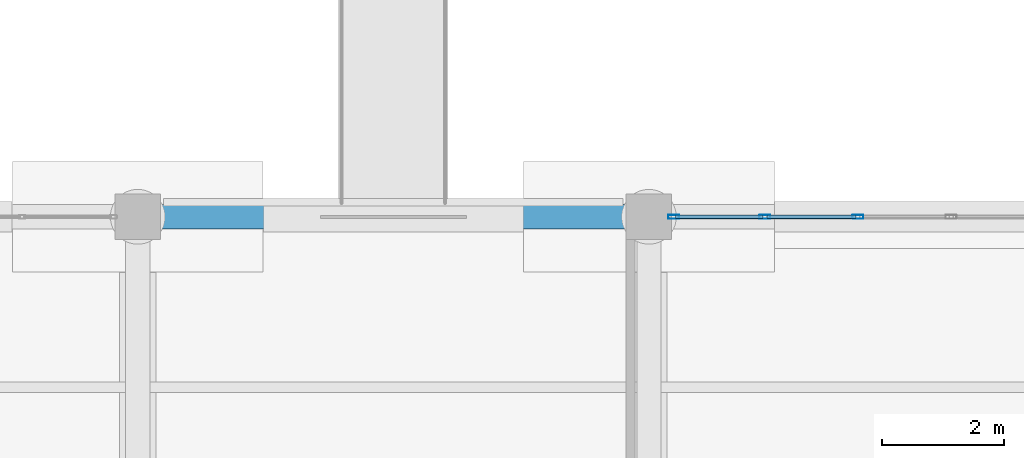
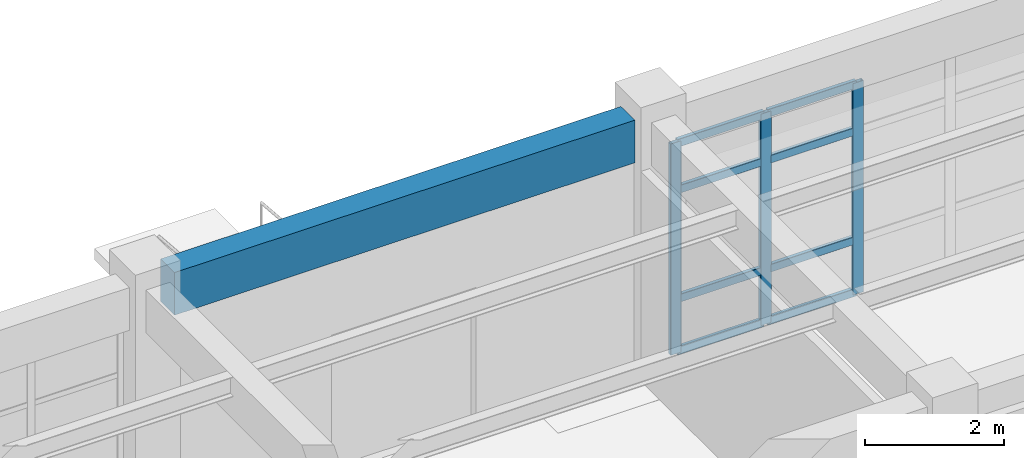
# One storey, part 5 of 29: 11 members, 1 beam, 1 element without a shape of its own.
"""IFC4 building model written with IfcOpenShell, lengths in metres."""

from ifc_helpers import new_model, si_unit, direction, frame, origin, origin_2d, place, context, subcontext, project, spatial, rectangle, hollow_rectangle, extrude, material, material_profile, profile_set, type_object, element, aggregate, save


model = new_model("IFC4")

# Units and contexts
model_context = context("Model", 3, precision=1e-05, world=origin(), true_north=direction((0.0, 1.0)))
body_context = subcontext(model_context, "Body", "Model", "MODEL_VIEW")
ifc_project = project(units=[si_unit("LENGTHUNIT", "METRE"), si_unit("AREAUNIT", "SQUARE_METRE"), si_unit("VOLUMEUNIT", "CUBIC_METRE"), si_unit("PLANEANGLEUNIT", "RADIAN"), si_unit("MASSUNIT", "GRAM", prefix="KILO")], contexts=[model_context])

# Site, building, storey
site_placement = place(None, origin())
site = spatial("IfcSite", under=ifc_project, at=site_placement, CompositionType="ELEMENT")
building_placement = place(site_placement, origin())
building = spatial("IfcBuilding", under=site, at=building_placement, Name="Canglan Escarpment Cableway Terminal", CompositionType="ELEMENT")
storey_placement = place(building_placement, origin())
storey = spatial("IfcBuildingStorey", under=building, at=storey_placement, Name="L00", CompositionType="ELEMENT", Elevation=0.0)

# Curtain wall, members
ifc_material_1 = material(Name="Anodized bronze aluminium and Low-E double glazing", Category="aluminium")
curtain_wall_type = type_object("IfcCurtainWallType", Name="CW-BAY-7650x3725", PredefinedType="NOTDEFINED", material=ifc_material_1)
curtain_wall_placement = place(storey_placement, origin())
curtain_wall = element("IfcCurtainWall", 1, at=curtain_wall_placement, inside=storey, type_object=curtain_wall_type, Name="Classical bay-between-piers glazed curtain wall CW-01", PredefinedType="NOTDEFINED")
ifc_material_2 = material(Name="Thermally broken anodized aluminium 6063-T6", Category="aluminium")
ifc_material_profile_1 = material_profile(ifc_material_2, hollow_rectangle(XDim=0.06494140625, YDim=0.179931640625, WallThickness=0.00390625, InnerFilletRadius=0.00390625, OuterFilletRadius=0.008056640625, at=origin_2d()), Name="ALU-MULL 65x180x4")
ifc_profile_set_1 = profile_set([ifc_material_profile_1], Name="Thermally broken anodized aluminium 6063-T6")
member_type_1 = type_object("IfcMemberType", Name="CWM-03", PredefinedType="MULLION", material=ifc_profile_set_1)
member_1_placement = place(storey_placement, frame((28.235107421875, 24.800048828125, 0.0), z_axis=(0.0, 0.0, 1.0), x_axis=(0.0, -1.0, 0.0)))
member_1 = element("IfcMember", 2, at=member_1_placement, type_object=member_type_1, Name="CW-01 mullion 4", PredefinedType="MULLION", context=body_context, shape_type="SweptSolid", body=[
    extrude(hollow_rectangle(XDim=0.06494140625, YDim=0.179931640625, WallThickness=0.00390625, InnerFilletRadius=0.00390625, OuterFilletRadius=0.008056640625, at=origin_2d()), origin(), (0.0, 0.0, 1.0), 3.715087890625),
])
member_2_placement = place(storey_placement, frame((26.705078125, 24.800048828125, 0.0), z_axis=(0.0, 0.0, 1.0), x_axis=(0.0, -1.0, 0.0)))
member_2 = element("IfcMember", 3, at=member_2_placement, type_object=member_type_1, Name="CW-01 mullion 5", PredefinedType="MULLION", context=body_context, shape_type="SweptSolid", body=[
    extrude(hollow_rectangle(XDim=0.06494140625, YDim=0.179931640625, WallThickness=0.00390625, InnerFilletRadius=0.00390625, OuterFilletRadius=0.008056640625, at=origin_2d()), origin(), (0.0, 0.0, 1.0), 3.715087890625),
])
member_3_placement = place(storey_placement, frame((25.20751953125, 24.800048828125, 0.0), z_axis=(0.0, 0.0, 1.0), x_axis=(0.0, -1.0, 0.0)))
member_3 = element("IfcMember", 4, at=member_3_placement, type_object=member_type_1, Name="CW-01 mullion 6", PredefinedType="MULLION", context=body_context, shape_type="SweptSolid", body=[
    extrude(hollow_rectangle(XDim=0.06494140625, YDim=0.179931640625, WallThickness=0.00390625, InnerFilletRadius=0.00390625, OuterFilletRadius=0.008056640625, at=origin_2d()), origin(), (0.0, 0.0, 1.0), 3.715087890625),
])
ifc_material_profile_2 = material_profile(ifc_material_2, hollow_rectangle(XDim=0.06494140625, YDim=0.139892578125, WallThickness=0.00341796875, InnerFilletRadius=0.00341796875, OuterFilletRadius=0.007080078125, at=origin_2d()), Name="ALU-TRAN 65x140x3.5")
ifc_profile_set_2 = profile_set([ifc_material_profile_2], Name="Thermally broken anodized aluminium 6063-T6")
member_type_2 = type_object("IfcMemberType", Name="CWT-03", PredefinedType="USERDEFINED", material=ifc_profile_set_2)
member_4_placement = place(storey_placement, frame((28.202392578125, 24.800048828125, 0.032470703125), z_axis=(-1.0, 0.0, 0.0), x_axis=(0.0, -1.0, 0.0)))
member_4 = element("IfcMember", 5, at=member_4_placement, type_object=member_type_2, Name="CW-01 transom 4.1", ObjectType="TRANSOM", PredefinedType="USERDEFINED", context=body_context, shape_type="SweptSolid", body=[
    extrude(hollow_rectangle(XDim=0.06494140625, YDim=0.139892578125, WallThickness=0.00341796875, InnerFilletRadius=0.00341796875, OuterFilletRadius=0.007080078125, at=origin_2d()), origin(), (0.0, 0.0, 1.0), 1.46484375),
])
member_5_placement = place(storey_placement, frame((28.202392578125, 24.800048828125, 0.949951171875), z_axis=(-1.0, 0.0, 0.0), x_axis=(0.0, -1.0, 0.0)))
member_5 = element("IfcMember", 6, at=member_5_placement, type_object=member_type_2, Name="CW-01 transom 4.2", ObjectType="TRANSOM", PredefinedType="USERDEFINED", context=body_context, shape_type="SweptSolid", body=[
    extrude(hollow_rectangle(XDim=0.06494140625, YDim=0.139892578125, WallThickness=0.00341796875, InnerFilletRadius=0.00341796875, OuterFilletRadius=0.007080078125, at=origin_2d()), origin(), (0.0, 0.0, 1.0), 1.46484375),
])
member_6_placement = place(storey_placement, frame((28.202392578125, 24.800048828125, 2.864990234375), z_axis=(-1.0, 0.0, 0.0), x_axis=(0.0, -1.0, 0.0)))
member_6 = element("IfcMember", 7, at=member_6_placement, type_object=member_type_2, Name="CW-01 transom 4.3", ObjectType="TRANSOM", PredefinedType="USERDEFINED", context=body_context, shape_type="SweptSolid", body=[
    extrude(hollow_rectangle(XDim=0.06494140625, YDim=0.139892578125, WallThickness=0.00341796875, InnerFilletRadius=0.00341796875, OuterFilletRadius=0.007080078125, at=origin_2d()), origin(), (0.0, 0.0, 1.0), 1.46484375),
])
member_7_placement = place(storey_placement, frame((28.202392578125, 24.800048828125, 3.6826171875), z_axis=(-1.0, 0.0, 0.0), x_axis=(0.0, -1.0, 0.0)))
member_7 = element("IfcMember", 8, at=member_7_placement, type_object=member_type_2, Name="CW-01 transom 4.4", ObjectType="TRANSOM", PredefinedType="USERDEFINED", context=body_context, shape_type="SweptSolid", body=[
    extrude(hollow_rectangle(XDim=0.06494140625, YDim=0.139892578125, WallThickness=0.00341796875, InnerFilletRadius=0.00341796875, OuterFilletRadius=0.007080078125, at=origin_2d()), origin(), (0.0, 0.0, 1.0), 1.46484375),
])
member_8_placement = place(storey_placement, frame((26.672607421875, 24.800048828125, 0.032470703125), z_axis=(-1.0, 0.0, 0.0), x_axis=(0.0, -1.0, 0.0)))
member_8 = element("IfcMember", 9, at=member_8_placement, type_object=member_type_2, Name="CW-01 transom 5.1", ObjectType="TRANSOM", PredefinedType="USERDEFINED", context=body_context, shape_type="SweptSolid", body=[
    extrude(hollow_rectangle(XDim=0.06494140625, YDim=0.139892578125, WallThickness=0.00341796875, InnerFilletRadius=0.00341796875, OuterFilletRadius=0.007080078125, at=origin_2d()), origin(), (0.0, 0.0, 1.0), 1.4326171875),
])
member_9_placement = place(storey_placement, frame((26.672607421875, 24.800048828125, 0.949951171875), z_axis=(-1.0, 0.0, 0.0), x_axis=(0.0, -1.0, 0.0)))
member_9 = element("IfcMember", 10, at=member_9_placement, type_object=member_type_2, Name="CW-01 transom 5.2", ObjectType="TRANSOM", PredefinedType="USERDEFINED", context=body_context, shape_type="SweptSolid", body=[
    extrude(hollow_rectangle(XDim=0.06494140625, YDim=0.139892578125, WallThickness=0.00341796875, InnerFilletRadius=0.00341796875, OuterFilletRadius=0.007080078125, at=origin_2d()), origin(), (0.0, 0.0, 1.0), 1.4326171875),
])
member_10_placement = place(storey_placement, frame((26.672607421875, 24.800048828125, 2.864990234375), z_axis=(-1.0, 0.0, 0.0), x_axis=(0.0, -1.0, 0.0)))
member_10 = element("IfcMember", 11, at=member_10_placement, type_object=member_type_2, Name="CW-01 transom 5.3", ObjectType="TRANSOM", PredefinedType="USERDEFINED", context=body_context, shape_type="SweptSolid", body=[
    extrude(hollow_rectangle(XDim=0.06494140625, YDim=0.139892578125, WallThickness=0.00341796875, InnerFilletRadius=0.00341796875, OuterFilletRadius=0.007080078125, at=origin_2d()), origin(), (0.0, 0.0, 1.0), 1.4326171875),
])
member_11_placement = place(storey_placement, frame((26.672607421875, 24.800048828125, 3.6826171875), z_axis=(-1.0, 0.0, 0.0), x_axis=(0.0, -1.0, 0.0)))
member_11 = element("IfcMember", 12, at=member_11_placement, type_object=member_type_2, Name="CW-01 transom 5.4", ObjectType="TRANSOM", PredefinedType="USERDEFINED", context=body_context, shape_type="SweptSolid", body=[
    extrude(hollow_rectangle(XDim=0.06494140625, YDim=0.139892578125, WallThickness=0.00341796875, InnerFilletRadius=0.00341796875, OuterFilletRadius=0.007080078125, at=origin_2d()), origin(), (0.0, 0.0, 1.0), 1.4326171875),
])
aggregate(curtain_wall, [member_1, member_2, member_3, member_4, member_5, member_6, member_7, member_8, member_9, member_10, member_11])

# Beam
ifc_material_3 = material(Name="Concrete C40", Category="concrete")
ifc_material_profile_3 = material_profile(ifc_material_3, rectangle(XDim=0.39990234375, YDim=0.75, at=origin_2d()), Name="RC 400x750")
ifc_profile_set_3 = profile_set([ifc_material_profile_3], Name="Concrete C40")
beam_type = type_object("IfcBeamType", Name="SP-RC400x750", PredefinedType="SPANDREL", material=ifc_profile_set_3)
beam_placement = place(storey_placement, frame((16.77490234375, 24.800048828125, 4.10498046875), z_axis=(1.0, 0.0, 0.0), x_axis=(0.0, 1.0, 0.0)))
element("IfcBeam", 13, at=beam_placement, inside=storey, type_object=beam_type, Name="Primary structural girder SP-01", PredefinedType="SPANDREL", context=body_context, shape_type="SweptSolid", body=[
    extrude(rectangle(XDim=0.39990234375, YDim=0.75, at=origin_2d()), origin(), (0.0, 0.0, 1.0), 7.650146484375),
])

save(model, "model.ifc")
